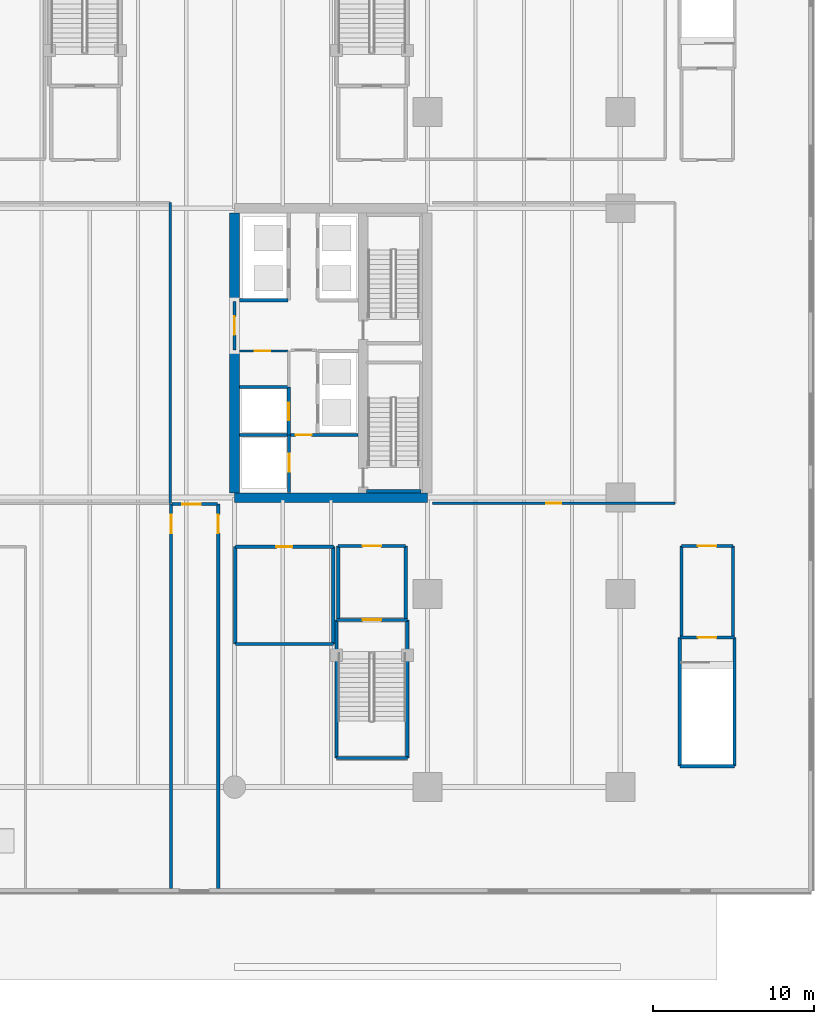
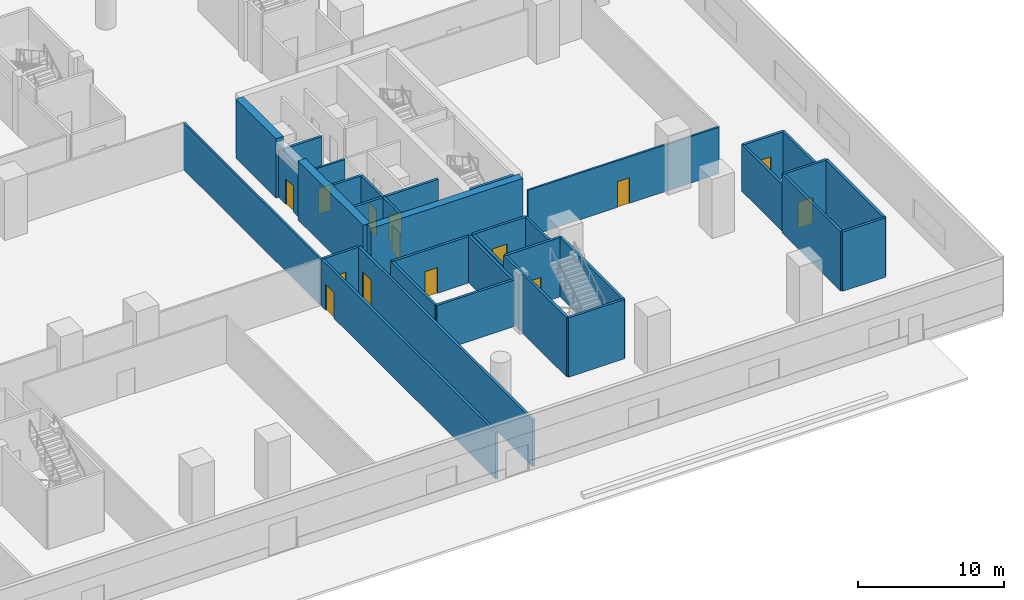
# One storey, part 8 of 25: 34 walls, 14 doors, 14 openings.
"""IFC4 building model written with IfcOpenShell, lengths in metres."""

from ifc_helpers import new_model, si_unit, direction, frame, frame_2d, origin, place, context, subcontext, project, spatial, rectangle, extrude, material, layer, layer_set, type_object, element, fill, save


model = new_model("IFC4")

# Units and contexts
model_context = context("Model", 3, precision=1e-05, world=origin(), true_north=direction((0.0, 1.0)))
body_context = subcontext(model_context, "Body", "Model", "MODEL_VIEW")
ifc_project = project(units=[si_unit("LENGTHUNIT", "METRE"), si_unit("AREAUNIT", "SQUARE_METRE"), si_unit("VOLUMEUNIT", "CUBIC_METRE"), si_unit("PLANEANGLEUNIT", "RADIAN"), si_unit("MASSUNIT", "GRAM", prefix="KILO")], contexts=[model_context])

# Site, building, storey
site_placement = place(None, origin())
site = spatial("IfcSite", under=ifc_project, at=site_placement, CompositionType="ELEMENT")
building_placement = place(site_placement, origin())
building = spatial("IfcBuilding", under=site, at=building_placement, Name="Tanjung Sevakor Pilgrim Tower", CompositionType="ELEMENT")
storey_placement = place(building_placement, origin())
storey = spatial("IfcBuildingStorey", under=building, at=storey_placement, Name="L01", CompositionType="ELEMENT", Elevation=0.0)

# Walls
ifc_material_1 = material(Name="Concrete C60/75", Category="concrete")
ifc_layer_1 = layer(ifc_material_1, 0.60009765625)
ifc_layer_set_1 = layer_set([ifc_layer_1], Name="WALL-CW-600")
wall_type_1 = type_object("IfcWallType", Name="WALL-CW-600", PredefinedType="SHEAR", material=ifc_layer_set_1)
wall_1_placement = place(storey_placement, frame((78.0, 24.60009765625, 0.0), z_axis=(0.0, 0.0, 1.0), x_axis=(1.0, 0.0, 0.0)))
element("IfcWall", 1, at=wall_1_placement, inside=storey, type_object=wall_type_1, Name="L01 E Core South Shear Wall", PredefinedType="SHEAR", context=body_context, shape_type="SweptSolid", body=[
    extrude(rectangle(XDim=12.0, YDim=0.60009765625, at=frame_2d((6.0, 0.0))), origin(), (0.0, 0.0, 1.0), 4.949951171875),
])
wall_2_placement = place(storey_placement, frame((78.0, 24.89990234375, 0.0), z_axis=(0.0, 0.0, 1.0), x_axis=(0.0, 1.0, 0.0)))
element("IfcWall", 2, at=wall_2_placement, inside=storey, type_object=wall_type_1, Name="L01 E Core Inner Shear Wall South", PredefinedType="SHEAR", context=body_context, shape_type="SweptSolid", body=[
    extrude(rectangle(XDim=8.900146484375, YDim=0.60009765625, at=frame_2d((4.4501953125, 0.0))), origin(), (0.0, 0.0, 1.0), 4.949951171875),
])
wall_3_placement = place(storey_placement, frame((78.0, 36.800048828125, 0.0), z_axis=(0.0, 0.0, 1.0), x_axis=(0.0, 1.0, 0.0)))
element("IfcWall", 3, at=wall_3_placement, inside=storey, type_object=wall_type_1, Name="L01 E Core Inner Shear Wall North", PredefinedType="SHEAR", context=body_context, shape_type="SweptSolid", body=[
    extrude(rectangle(XDim=5.5, YDim=0.60009765625, at=frame_2d((2.75, 0.0))), origin(), (0.0, 0.0, 1.0), 4.949951171875),
])

# Wall, opening, door
ifc_material_2 = material(Name="Concrete C40/50", Category="concrete")
ifc_layer_2 = layer(ifc_material_2, 0.14990234375)
ifc_layer_set_2 = layer_set([ifc_layer_2], Name="WT-COMP-150")
wall_type_2 = type_object("IfcWallType", Name="WT-COMP-150", PredefinedType="SOLIDWALL", material=ifc_layer_set_2)
wall_4_placement = place(storey_placement, frame((78.320068359375, 33.719970703125, 0.0), z_axis=(0.0, 0.0, 1.0), x_axis=(1.0, 0.0, 0.0)))
wall_4 = element("IfcWall", 4, at=wall_4_placement, inside=storey, type_object=wall_type_2, Name="L01 Partition IW-L01-024", PredefinedType="SOLIDWALL", context=body_context, shape_type="SweptSolid", body=[
    extrude(rectangle(XDim=3.0, YDim=0.14990234375, at=frame_2d((1.5, 0.0))), origin(), (0.0, 0.0, 1.0), 3.889892578125),
])
opening_1_placement = place(wall_4_placement, frame((0.949951171875, 0.0, 0.0)))
opening_1 = element("IfcOpeningElement", 5, at=opening_1_placement, cuts=wall_4, Name="Opening ID-FD2", PredefinedType="OPENING", context=body_context, shape_type="SweptSolid", body=[
    extrude(rectangle(XDim=0.949951171875, YDim=2.14990234375, at=frame_2d((0.47509765625, 1.074951171875))), frame((0.0, 0.0849609375, 0.0), z_axis=(0.0, -1.0, 0.0), x_axis=(1.0, 0.0, 0.0)), (0.0, 0.0, 1.0), 0.169921875),
])
ifc_material_3 = material(Name="Fire-Rated Timber", Category="wood")
door_type_1 = type_object("IfcDoorType", Name="DT-FIRE-950", OperationType="NOTDEFINED", PredefinedType="DOOR", material=ifc_material_3)
door_1_placement = place(opening_1_placement, origin())
door_1 = element("IfcDoor", 6, at=door_1_placement, inside=storey, type_object=door_type_1, Name="L01 Accessible WC Door", OperationType="SINGLE_SWING_LEFT", OverallHeight=2.14990234375, OverallWidth=0.949951171875, PredefinedType="DOOR", context=body_context, shape_type="SweptSolid", body=[
    extrude(rectangle(XDim=0.949951171875, YDim=2.14990234375, at=frame_2d((0.47509765625, 1.074951171875))), frame((0.0, 0.02490234375, 0.0), z_axis=(0.0, -1.0, 0.0), x_axis=(1.0, 0.0, 0.0)), (0.0, 0.0, 1.0), 0.050048828125),
])
fill(opening_1, door_1)

# Wall
wall_5_placement = place(storey_placement, frame((74.0, 24.25, 0.0), z_axis=(0.0, 0.0, 1.0), x_axis=(0.0, 1.0, 0.0)))
element("IfcWall", 7, at=wall_5_placement, inside=storey, type_object=wall_type_2, Name="L01 Partition IW-L01-073", PredefinedType="SOLIDWALL", context=body_context, shape_type="SweptSolid", body=[
    extrude(rectangle(XDim=18.699951171875, YDim=0.14990234375, at=frame_2d((9.35009765625, 0.0))), origin(), (0.0, 0.0, 1.0), 3.889892578125),
])

# Wall, opening, door
wall_6_placement = place(storey_placement, frame((90.320068359375, 24.25, 0.0), z_axis=(0.0, 0.0, 1.0), x_axis=(1.0, 0.0, 0.0)))
wall_6 = element("IfcWall", 8, at=wall_6_placement, inside=storey, type_object=wall_type_2, Name="L01 Partition IW-L01-085", PredefinedType="SOLIDWALL", context=body_context, shape_type="SweptSolid", body=[
    extrude(rectangle(XDim=15.079833984375, YDim=0.14990234375, at=frame_2d((7.5400390625, 0.0))), origin(), (0.0, 0.0, 1.0), 3.889892578125),
])
opening_2_placement = place(wall_6_placement, frame((7.06494140625, 0.0, 0.0)))
opening_2 = element("IfcOpeningElement", 9, at=opening_2_placement, cuts=wall_6, Name="Opening ID-RM1", PredefinedType="OPENING", context=body_context, shape_type="SweptSolid", body=[
    extrude(rectangle(XDim=0.949951171875, YDim=2.14990234375, at=frame_2d((0.47509765625, 1.074951171875))), frame((0.0, 0.0849609375, 0.0), z_axis=(0.0, -1.0, 0.0), x_axis=(1.0, 0.0, 0.0)), (0.0, 0.0, 1.0), 0.169921875),
])
ifc_material_4 = material(Name="Hardwood Timber", Category="wood")
door_type_2 = type_object("IfcDoorType", Name="DT-INT-950", OperationType="NOTDEFINED", PredefinedType="DOOR", material=ifc_material_4)
door_2_placement = place(opening_2_placement, frame((0.949951171875, 0.0, 0.0), z_axis=(0.0, 0.0, 1.0), x_axis=(-1.0, 0.0, 0.0)))
door_2 = element("IfcDoor", 10, at=door_2_placement, inside=storey, type_object=door_type_2, Name="L01 Reception Office Door", OperationType="SINGLE_SWING_RIGHT", OverallHeight=2.14990234375, OverallWidth=0.949951171875, PredefinedType="DOOR", context=body_context, shape_type="SweptSolid", body=[
    extrude(rectangle(XDim=0.949951171875, YDim=2.14990234375, at=frame_2d((0.47509765625, 1.074951171875))), frame((0.0, 0.02490234375, 0.0), z_axis=(0.0, -1.0, 0.0), x_axis=(1.0, 0.0, 0.0)), (0.0, 0.0, 1.0), 0.050048828125),
])
fill(opening_2, door_2)

# Walls
ifc_material_5 = material(Name="Concrete C40/50", Category="concrete")
ifc_layer_3 = layer(ifc_material_5, 0.199951171875)
ifc_layer_set_3 = layer_set([ifc_layer_3], Name="WT-FIRE-200")
wall_type_3 = type_object("IfcWallType", Name="WT-FIRE-200", PredefinedType="SOLIDWALL", material=ifc_layer_set_3)
wall_7_placement = place(storey_placement, frame((86.199951171875, 25.0, 0.0), z_axis=(0.0, 0.0, 1.0), x_axis=(1.0, 0.0, 0.0)))
element("IfcWall", 11, at=wall_7_placement, inside=storey, type_object=wall_type_3, Name="L01 TS-E1 Shaft Wall 1", PredefinedType="SOLIDWALL", context=body_context, shape_type="SweptSolid", body=[
    extrude(rectangle(XDim=3.400146484375, YDim=0.199951171875, at=frame_2d((1.7001953125, 0.0))), origin(), (0.0, 0.0, 1.0), 4.949951171875),
])
wall_8_placement = place(storey_placement, frame((84.35009765625, 8.39990234375, 0.0), z_axis=(0.0, 0.0, 1.0), x_axis=(1.0, 0.0, 0.0)))
element("IfcWall", 12, at=wall_8_placement, inside=storey, type_object=wall_type_3, Name="L01 PS-5 Shaft Wall 1", PredefinedType="SOLIDWALL", context=body_context, shape_type="SweptSolid", body=[
    extrude(rectangle(XDim=4.39990234375, YDim=0.199951171875, at=frame_2d((2.199951171875, 0.0))), origin(), (0.0, 0.0, 1.0), 4.949951171875),
])
wall_9_placement = place(storey_placement, frame((88.75, 8.39990234375, 0.0), z_axis=(0.0, 0.0, 1.0), x_axis=(0.0, 1.0, 0.0)))
element("IfcWall", 13, at=wall_9_placement, inside=storey, type_object=wall_type_3, Name="L01 PS-5 Shaft Wall 2", PredefinedType="SOLIDWALL", context=body_context, shape_type="SweptSolid", body=[
    extrude(rectangle(XDim=8.60009765625, YDim=0.199951171875, at=frame_2d((4.300048828125, 0.0))), origin(), (0.0, 0.0, 1.0), 4.949951171875),
])

# Wall, opening, door
wall_10_placement = place(storey_placement, frame((88.75, 17.0, 0.0), z_axis=(0.0, 0.0, 1.0), x_axis=(-1.0, 0.0, 0.0)))
wall_10 = element("IfcWall", 14, at=wall_10_placement, inside=storey, type_object=wall_type_3, Name="L01 PS-5 Shaft Wall 3", PredefinedType="SOLIDWALL", context=body_context, shape_type="SweptSolid", body=[
    extrude(rectangle(XDim=4.39990234375, YDim=0.199951171875, at=frame_2d((2.199951171875, 0.0))), origin(), (0.0, 0.0, 1.0), 4.949951171875),
])
opening_3_placement = place(wall_10_placement, frame((1.625, 0.0, 0.0)))
opening_3 = element("IfcOpeningElement", 15, at=opening_3_placement, cuts=wall_10, Name="Opening ID-ST1", PredefinedType="OPENING", context=body_context, shape_type="SweptSolid", body=[
    extrude(rectangle(XDim=1.14990234375, YDim=2.14990234375, at=frame_2d((0.574951171875, 1.074951171875))), frame((0.0, 0.10986328125, 0.0), z_axis=(0.0, -1.0, 0.0), x_axis=(1.0, 0.0, 0.0)), (0.0, 0.0, 1.0), 0.219970703125),
])
ifc_material_6 = material(Name="Fire-Rated Steel S355J2", Category="steel")
door_type_3 = type_object("IfcDoorType", Name="DT-FIRE-1150", OperationType="NOTDEFINED", PredefinedType="DOOR", material=ifc_material_6)
door_3_placement = place(opening_3_placement, frame((1.14990234375, 0.0, 0.0), z_axis=(0.0, 0.0, 1.0), x_axis=(-1.0, 0.0, 0.0)))
door_3 = element("IfcDoor", 16, at=door_3_placement, inside=storey, type_object=door_type_3, Name="L01 PS-5 Stair Entry Fire Door", OperationType="SINGLE_SWING_LEFT", OverallHeight=2.14990234375, OverallWidth=1.14990234375, PredefinedType="DOOR", context=body_context, shape_type="SweptSolid", body=[
    extrude(rectangle(XDim=1.14990234375, YDim=2.14990234375, at=frame_2d((0.574951171875, 1.074951171875))), frame((0.0, 0.02490234375, 0.0), z_axis=(0.0, -1.0, 0.0), x_axis=(1.0, 0.0, 0.0)), (0.0, 0.0, 1.0), 0.050048828125),
])
fill(opening_3, door_3)

# Walls
wall_11_placement = place(storey_placement, frame((84.35009765625, 17.0, 0.0), z_axis=(0.0, 0.0, 1.0), x_axis=(0.0, -1.0, 0.0)))
element("IfcWall", 17, at=wall_11_placement, inside=storey, type_object=wall_type_3, Name="L01 PS-5 Shaft Wall 4", PredefinedType="SOLIDWALL", context=body_context, shape_type="SweptSolid", body=[
    extrude(rectangle(XDim=8.60009765625, YDim=0.199951171875, at=frame_2d((4.300048828125, 0.0))), origin(), (0.0, 0.0, 1.0), 4.949951171875),
])
wall_12_placement = place(storey_placement, frame((105.699951171875, 7.89990234375, 0.0), z_axis=(0.0, 0.0, 1.0), x_axis=(1.0, 0.0, 0.0)))
element("IfcWall", 18, at=wall_12_placement, inside=storey, type_object=wall_type_3, Name="L01 BS-3 Shaft Wall 1", PredefinedType="SOLIDWALL", context=body_context, shape_type="SweptSolid", body=[
    extrude(rectangle(XDim=3.400146484375, YDim=0.199951171875, at=frame_2d((1.7001953125, 0.0))), origin(), (0.0, 0.0, 1.0), 4.949951171875),
])
wall_13_placement = place(storey_placement, frame((109.10009765625, 7.89990234375, 0.0), z_axis=(0.0, 0.0, 1.0), x_axis=(0.0, 1.0, 0.0)))
element("IfcWall", 19, at=wall_13_placement, inside=storey, type_object=wall_type_3, Name="L01 BS-3 Shaft Wall 2", PredefinedType="SOLIDWALL", context=body_context, shape_type="SweptSolid", body=[
    extrude(rectangle(XDim=8.0, YDim=0.199951171875, at=frame_2d((4.0, 0.0))), origin(), (0.0, 0.0, 1.0), 4.949951171875),
])

# Wall, opening, door
wall_14_placement = place(storey_placement, frame((109.10009765625, 15.89990234375, 0.0), z_axis=(0.0, 0.0, 1.0), x_axis=(-1.0, 0.0, 0.0)))
wall_14 = element("IfcWall", 20, at=wall_14_placement, inside=storey, type_object=wall_type_3, Name="L01 BS-3 Shaft Wall 3", PredefinedType="SOLIDWALL", context=body_context, shape_type="SweptSolid", body=[
    extrude(rectangle(XDim=3.400146484375, YDim=0.199951171875, at=frame_2d((1.7001953125, 0.0))), origin(), (0.0, 0.0, 1.0), 4.949951171875),
])
opening_4_placement = place(wall_14_placement, frame((1.125, 0.0, 0.0)))
opening_4 = element("IfcOpeningElement", 21, at=opening_4_placement, cuts=wall_14, Name="Opening ID-ST1", PredefinedType="OPENING", context=body_context, shape_type="SweptSolid", body=[
    extrude(rectangle(XDim=1.14990234375, YDim=2.14990234375, at=frame_2d((0.574951171875, 1.074951171875))), frame((0.0, 0.10986328125, 0.0), z_axis=(0.0, -1.0, 0.0), x_axis=(1.0, 0.0, 0.0)), (0.0, 0.0, 1.0), 0.219970703125),
])
door_4_placement = place(opening_4_placement, frame((1.14990234375, 0.0, 0.0), z_axis=(0.0, 0.0, 1.0), x_axis=(-1.0, 0.0, 0.0)))
door_4 = element("IfcDoor", 22, at=door_4_placement, inside=storey, type_object=door_type_3, Name="L01 BS-3 Stair Entry Fire Door", OperationType="SINGLE_SWING_LEFT", OverallHeight=2.14990234375, OverallWidth=1.14990234375, PredefinedType="DOOR", context=body_context, shape_type="SweptSolid", body=[
    extrude(rectangle(XDim=1.14990234375, YDim=2.14990234375, at=frame_2d((0.574951171875, 1.074951171875))), frame((0.0, 0.02490234375, 0.0), z_axis=(0.0, -1.0, 0.0), x_axis=(1.0, 0.0, 0.0)), (0.0, 0.0, 1.0), 0.050048828125),
])
fill(opening_4, door_4)

# Wall
wall_15_placement = place(storey_placement, frame((105.699951171875, 15.89990234375, 0.0), z_axis=(0.0, 0.0, 1.0), x_axis=(0.0, -1.0, 0.0)))
element("IfcWall", 23, at=wall_15_placement, inside=storey, type_object=wall_type_3, Name="L01 BS-3 Shaft Wall 4", PredefinedType="SOLIDWALL", context=body_context, shape_type="SweptSolid", body=[
    extrude(rectangle(XDim=8.0, YDim=0.199951171875, at=frame_2d((4.0, 0.0))), origin(), (0.0, 0.0, 1.0), 4.949951171875),
])

# Wall, opening, door
ifc_material_7 = material(Name="Concrete C40/50", Category="concrete")
ifc_layer_4 = layer(ifc_material_7, 0.199951171875)
ifc_layer_set_4 = layer_set([ifc_layer_4], Name="WT-FPRT-200")
wall_type_4 = type_object("IfcWallType", Name="WT-FPRT-200", PredefinedType="SOLIDWALL", material=ifc_layer_set_4)
wall_16_placement = place(storey_placement, frame((81.39990234375, 24.919921875, 0.0), z_axis=(0.0, 0.0, 1.0), x_axis=(0.0, 1.0, 0.0)))
wall_16 = element("IfcWall", 24, at=wall_16_placement, inside=storey, type_object=wall_type_4, Name="L01 Partition IW-L01-015", PredefinedType="SOLIDWALL", context=body_context, shape_type="SweptSolid", body=[
    extrude(rectangle(XDim=3.580078125, YDim=0.199951171875, at=frame_2d((1.7900390625, 0.0))), origin(), (0.0, 0.0, 1.0), 3.889892578125),
])
opening_5_placement = place(wall_16_placement, frame((1.300048828125, 0.0, 0.0)))
opening_5 = element("IfcOpeningElement", 25, at=opening_5_placement, cuts=wall_16, Name="Opening LD-1100", PredefinedType="OPENING", context=body_context, shape_type="SweptSolid", body=[
    extrude(rectangle(XDim=1.10009765625, YDim=2.199951171875, at=frame_2d((0.550048828125, 1.10009765625))), frame((0.0, 0.10986328125, 0.0), z_axis=(0.0, -1.0, 0.0), x_axis=(1.0, 0.0, 0.0)), (0.0, 0.0, 1.0), 0.219970703125),
])
ifc_material_8 = material(Name="Brushed Stainless Steel S355J2", Category="steel")
door_type_4 = type_object("IfcDoorType", Name="DT-LIFT-1100", OperationType="SLIDING_TO_LEFT", PredefinedType="DOOR", material=ifc_material_8)
door_5_placement = place(opening_5_placement, origin())
door_5 = element("IfcDoor", 26, at=door_5_placement, inside=storey, type_object=door_type_4, Name="LD-FL-E", OperationType="SLIDING_TO_LEFT", OverallHeight=2.199951171875, OverallWidth=1.10009765625, PredefinedType="DOOR", context=body_context, shape_type="SweptSolid", body=[
    extrude(rectangle(XDim=1.10009765625, YDim=2.199951171875, at=frame_2d((0.550048828125, 1.10009765625))), frame((0.0, 0.02490234375, 0.0), z_axis=(0.0, -1.0, 0.0), x_axis=(1.0, 0.0, 0.0)), (0.0, 0.0, 1.0), 0.050048828125),
])
fill(opening_5, door_5)

wall_17_placement = place(storey_placement, frame((78.320068359375, 28.5, 0.0), z_axis=(0.0, 0.0, 1.0), x_axis=(1.0, 0.0, 0.0)))
wall_17 = element("IfcWall", 27, at=wall_17_placement, inside=storey, type_object=wall_type_4, Name="L01 Partition IW-L01-016", PredefinedType="SOLIDWALL", context=body_context, shape_type="SweptSolid", body=[
    extrude(rectangle(XDim=7.35986328125, YDim=0.199951171875, at=frame_2d((3.679931640625, 0.0))), origin(), (0.0, 0.0, 1.0), 3.889892578125),
])
opening_6_placement = place(wall_17_placement, frame((3.47998046875, 0.0, 0.0)))
opening_6 = element("IfcOpeningElement", 28, at=opening_6_placement, cuts=wall_17, Name="Opening ID-FD1", PredefinedType="OPENING", context=body_context, shape_type="SweptSolid", body=[
    extrude(rectangle(XDim=1.0, YDim=2.14990234375, at=frame_2d((0.5, 1.074951171875))), frame((0.0, 0.10986328125, 0.0), z_axis=(0.0, -1.0, 0.0), x_axis=(1.0, 0.0, 0.0)), (0.0, 0.0, 1.0), 0.219970703125),
])
ifc_material_9 = material(Name="Fire-Rated Steel S355J2", Category="steel")
door_type_5 = type_object("IfcDoorType", Name="DT-FIRE-1000", OperationType="NOTDEFINED", PredefinedType="DOOR", material=ifc_material_9)
door_6_placement = place(opening_6_placement, origin())
door_6 = element("IfcDoor", 29, at=door_6_placement, inside=storey, type_object=door_type_5, Name="Fire Lobby Door E", OperationType="SINGLE_SWING_LEFT", OverallHeight=2.14990234375, OverallWidth=1.0, PredefinedType="DOOR", context=body_context, shape_type="SweptSolid", body=[
    extrude(rectangle(XDim=1.0, YDim=2.14990234375, at=frame_2d((0.5, 1.074951171875))), frame((0.0, 0.02490234375, 0.0), z_axis=(0.0, -1.0, 0.0), x_axis=(1.0, 0.0, 0.0)), (0.0, 0.0, 1.0), 0.050048828125),
])
fill(opening_6, door_6)

wall_18_placement = place(storey_placement, frame((78.0, 33.800048828125, 0.0), z_axis=(0.0, 0.0, 1.0), x_axis=(0.0, 1.0, 0.0)))
wall_18 = element("IfcWall", 30, at=wall_18_placement, inside=storey, type_object=wall_type_4, Name="L01 Partition IW-L01-017", PredefinedType="SOLIDWALL", context=body_context, shape_type="SweptSolid", body=[
    extrude(rectangle(XDim=3.0, YDim=0.199951171875, at=frame_2d((1.5, 0.0))), origin(), (0.0, 0.0, 1.0), 3.889892578125),
])
opening_7_placement = place(wall_18_placement, frame((0.925048828125, 0.0, 0.0)))
opening_7 = element("IfcOpeningElement", 31, at=opening_7_placement, cuts=wall_18, Name="Opening ID-ST1", PredefinedType="OPENING", context=body_context, shape_type="SweptSolid", body=[
    extrude(rectangle(XDim=1.14990234375, YDim=2.14990234375, at=frame_2d((0.574951171875, 1.074951171875))), frame((0.0, 0.10986328125, 0.0), z_axis=(0.0, -1.0, 0.0), x_axis=(1.0, 0.0, 0.0)), (0.0, 0.0, 1.0), 0.219970703125),
])
door_7_placement = place(opening_7_placement, origin())
door_7 = element("IfcDoor", 32, at=door_7_placement, inside=storey, type_object=door_type_3, Name="L01 Core E Exit Vestibule Door", OperationType="SINGLE_SWING_RIGHT", OverallHeight=2.14990234375, OverallWidth=1.14990234375, PredefinedType="DOOR", context=body_context, shape_type="SweptSolid", body=[
    extrude(rectangle(XDim=1.14990234375, YDim=2.14990234375, at=frame_2d((0.574951171875, 1.074951171875))), frame((0.0, 0.02490234375, 0.0), z_axis=(0.0, -1.0, 0.0), x_axis=(1.0, 0.0, 0.0)), (0.0, 0.0, 1.0), 0.050048828125),
])
fill(opening_7, door_7)

# Wall
wall_19_placement = place(storey_placement, frame((78.320068359375, 31.47998046875, 0.0), z_axis=(0.0, 0.0, 1.0), x_axis=(1.0, 0.0, 0.0)))
element("IfcWall", 33, at=wall_19_placement, inside=storey, type_object=wall_type_4, Name="L01 Partition IW-L01-021", PredefinedType="SOLIDWALL", context=body_context, shape_type="SweptSolid", body=[
    extrude(rectangle(XDim=3.0, YDim=0.199951171875, at=frame_2d((1.5, 0.0))), origin(), (0.0, 0.0, 1.0), 3.889892578125),
])

# Wall, opening, door
wall_20_placement = place(storey_placement, frame((81.3798828125, 28.5, 0.0), z_axis=(0.0, 0.0, 1.0), x_axis=(0.0, 1.0, 0.0)))
wall_20 = element("IfcWall", 34, at=wall_20_placement, inside=storey, type_object=wall_type_4, Name="L01 Partition IW-L01-022", PredefinedType="SOLIDWALL", context=body_context, shape_type="SweptSolid", body=[
    extrude(rectangle(XDim=2.97998046875, YDim=0.199951171875, at=frame_2d((1.489990234375, 0.0))), origin(), (0.0, 0.0, 1.0), 3.889892578125),
])
opening_8_placement = place(wall_20_placement, frame((0.89990234375, 0.0, 0.0)))
opening_8 = element("IfcOpeningElement", 35, at=opening_8_placement, cuts=wall_20, Name="Opening LD-1100", PredefinedType="OPENING", context=body_context, shape_type="SweptSolid", body=[
    extrude(rectangle(XDim=1.10009765625, YDim=2.199951171875, at=frame_2d((0.550048828125, 1.10009765625))), frame((0.0, 0.10986328125, 0.0), z_axis=(0.0, -1.0, 0.0), x_axis=(1.0, 0.0, 0.0)), (0.0, 0.0, 1.0), 0.219970703125),
])
door_8_placement = place(opening_8_placement, origin())
door_8 = element("IfcDoor", 36, at=door_8_placement, inside=storey, type_object=door_type_4, Name="LD-SLP-E", OperationType="SLIDING_TO_LEFT", OverallHeight=2.199951171875, OverallWidth=1.10009765625, PredefinedType="DOOR", context=body_context, shape_type="SweptSolid", body=[
    extrude(rectangle(XDim=1.10009765625, YDim=2.199951171875, at=frame_2d((0.550048828125, 1.10009765625))), frame((0.0, 0.02490234375, 0.0), z_axis=(0.0, -1.0, 0.0), x_axis=(1.0, 0.0, 0.0)), (0.0, 0.0, 1.0), 0.050048828125),
])
fill(opening_8, door_8)

# Wall
wall_21_placement = place(storey_placement, frame((78.320068359375, 36.8798828125, 0.0), z_axis=(0.0, 0.0, 1.0), x_axis=(1.0, 0.0, 0.0)))
element("IfcWall", 37, at=wall_21_placement, inside=storey, type_object=wall_type_4, Name="L01 Partition IW-L01-027", PredefinedType="SOLIDWALL", context=body_context, shape_type="SweptSolid", body=[
    extrude(rectangle(XDim=3.0, YDim=0.199951171875, at=frame_2d((1.5, 0.0))), origin(), (0.0, 0.0, 1.0), 3.889892578125),
])

# Wall, opening, door
wall_22_placement = place(storey_placement, frame((74.10009765625, 24.199951171875, 0.0), z_axis=(0.0, 0.0, 1.0), x_axis=(1.0, 0.0, 0.0)))
wall_22 = element("IfcWall", 38, at=wall_22_placement, inside=storey, type_object=wall_type_4, Name="L01 Partition IW-L01-030", PredefinedType="SOLIDWALL", context=body_context, shape_type="SweptSolid", body=[
    extrude(rectangle(XDim=2.849853515625, YDim=0.199951171875, at=frame_2d((1.4248046875, 0.0))), origin(), (0.0, 0.0, 1.0), 3.889892578125),
])
opening_9_placement = place(wall_22_placement, frame((0.64990234375, 0.0, 0.0)))
opening_9 = element("IfcOpeningElement", 39, at=opening_9_placement, cuts=wall_22, Name="Opening ID-ST1", PredefinedType="OPENING", context=body_context, shape_type="SweptSolid", body=[
    extrude(rectangle(XDim=1.14990234375, YDim=2.14990234375, at=frame_2d((0.574951171875, 1.074951171875))), frame((0.0, 0.10986328125, 0.0), z_axis=(0.0, -1.0, 0.0), x_axis=(1.0, 0.0, 0.0)), (0.0, 0.0, 1.0), 0.219970703125),
])
door_9_placement = place(opening_9_placement, frame((1.14990234375, 0.0, 0.0), z_axis=(0.0, 0.0, 1.0), x_axis=(-1.0, 0.0, 0.0)))
door_9 = element("IfcDoor", 40, at=door_9_placement, inside=storey, type_object=door_type_3, Name="L01 East Core South Exit Door", OperationType="SINGLE_SWING_LEFT", OverallHeight=2.14990234375, OverallWidth=1.14990234375, PredefinedType="DOOR", context=body_context, shape_type="SweptSolid", body=[
    extrude(rectangle(XDim=1.14990234375, YDim=2.14990234375, at=frame_2d((0.574951171875, 1.074951171875))), frame((0.0, 0.02490234375, 0.0), z_axis=(0.0, -1.0, 0.0), x_axis=(1.0, 0.0, 0.0)), (0.0, 0.0, 1.0), 0.050048828125),
])
fill(opening_9, door_9)

# Walls
for number, where, z_axis, x_axis, name in (
    (41, (84.449951171875, 17.0, 0.0), (0.0, 0.0, 1.0), (0.0, 1.0, 0.0), "L01 Partition IW-L01-037"),
    (42, (88.64990234375, 17.0, 0.0), (0.0, 0.0, 1.0), (0.0, 1.0, 0.0), "L01 Partition IW-L01-038"),
):
    element("IfcWall", number, at=place(storey_placement, frame(where, z_axis=z_axis, x_axis=x_axis)), inside=storey, type_object=wall_type_4, Name=name, PredefinedType="SOLIDWALL", context=body_context, shape_type="SweptSolid", body=[
        extrude(rectangle(XDim=4.60009765625, YDim=0.199951171875, at=frame_2d((2.300048828125, 0.0))), origin(), (0.0, 0.0, 1.0), 3.889892578125),
    ])

# Wall, opening, door
wall_23_placement = place(storey_placement, frame((84.449951171875, 21.60009765625, 0.0), z_axis=(0.0, 0.0, 1.0), x_axis=(1.0, 0.0, 0.0)))
wall_23 = element("IfcWall", 43, at=wall_23_placement, inside=storey, type_object=wall_type_4, Name="L01 Partition IW-L01-039", PredefinedType="SOLIDWALL", context=body_context, shape_type="SweptSolid", body=[
    extrude(rectangle(XDim=4.199951171875, YDim=0.199951171875, at=frame_2d((2.10009765625, 0.0))), origin(), (0.0, 0.0, 1.0), 3.889892578125),
])
opening_10_placement = place(wall_23_placement, frame((1.52490234375, 0.0, 0.0)))
opening_10 = element("IfcOpeningElement", 44, at=opening_10_placement, cuts=wall_23, Name="Opening ID-ST1", PredefinedType="OPENING", context=body_context, shape_type="SweptSolid", body=[
    extrude(rectangle(XDim=1.14990234375, YDim=2.14990234375, at=frame_2d((0.574951171875, 1.074951171875))), frame((0.0, 0.10986328125, 0.0), z_axis=(0.0, -1.0, 0.0), x_axis=(1.0, 0.0, 0.0)), (0.0, 0.0, 1.0), 0.219970703125),
])
door_10_placement = place(opening_10_placement, origin())
door_10 = element("IfcDoor", 45, at=door_10_placement, inside=storey, type_object=door_type_3, Name="L01 Stair Lobby PS5 Exit Door", OperationType="SINGLE_SWING_RIGHT", OverallHeight=2.14990234375, OverallWidth=1.14990234375, PredefinedType="DOOR", context=body_context, shape_type="SweptSolid", body=[
    extrude(rectangle(XDim=1.14990234375, YDim=2.14990234375, at=frame_2d((0.574951171875, 1.074951171875))), frame((0.0, 0.02490234375, 0.0), z_axis=(0.0, -1.0, 0.0), x_axis=(1.0, 0.0, 0.0)), (0.0, 0.0, 1.0), 0.050048828125),
])
fill(opening_10, door_10)

# Walls
for number, where, z_axis, x_axis, name in (
    (46, (105.800048828125, 15.89990234375, 0.0), (0.0, 0.0, 1.0), (0.0, 1.0, 0.0), "L01 Partition IW-L01-051"),
    (47, (109.0, 15.89990234375, 0.0), (0.0, 0.0, 1.0), (0.0, 1.0, 0.0), "L01 Partition IW-L01-052"),
):
    element("IfcWall", number, at=place(storey_placement, frame(where, z_axis=z_axis, x_axis=x_axis)), inside=storey, type_object=wall_type_4, Name=name, PredefinedType="SOLIDWALL", context=body_context, shape_type="SweptSolid", body=[
        extrude(rectangle(XDim=5.7001953125, YDim=0.199951171875, at=frame_2d((2.85009765625, 0.0))), origin(), (0.0, 0.0, 1.0), 3.889892578125),
    ])

# Wall, opening, door
wall_24_placement = place(storey_placement, frame((105.800048828125, 21.60009765625, 0.0), z_axis=(0.0, 0.0, 1.0), x_axis=(1.0, 0.0, 0.0)))
wall_24 = element("IfcWall", 48, at=wall_24_placement, inside=storey, type_object=wall_type_4, Name="L01 Partition IW-L01-056", PredefinedType="SOLIDWALL", context=body_context, shape_type="SweptSolid", body=[
    extrude(rectangle(XDim=3.199951171875, YDim=0.199951171875, at=frame_2d((1.60009765625, 0.0))), origin(), (0.0, 0.0, 1.0), 3.889892578125),
])
opening_11_placement = place(wall_24_placement, frame((1.02490234375, 0.0, 0.0)))
opening_11 = element("IfcOpeningElement", 49, at=opening_11_placement, cuts=wall_24, Name="Opening ID-ST1", PredefinedType="OPENING", context=body_context, shape_type="SweptSolid", body=[
    extrude(rectangle(XDim=1.14990234375, YDim=2.14990234375, at=frame_2d((0.574951171875, 1.074951171875))), frame((0.0, 0.10986328125, 0.0), z_axis=(0.0, -1.0, 0.0), x_axis=(1.0, 0.0, 0.0)), (0.0, 0.0, 1.0), 0.219970703125),
])
door_11_placement = place(opening_11_placement, origin())
door_11 = element("IfcDoor", 50, at=door_11_placement, inside=storey, type_object=door_type_3, Name="L01 Stair Lobby BS3 Exit Door", OperationType="SINGLE_SWING_LEFT", OverallHeight=2.14990234375, OverallWidth=1.14990234375, PredefinedType="DOOR", context=body_context, shape_type="SweptSolid", body=[
    extrude(rectangle(XDim=1.14990234375, YDim=2.14990234375, at=frame_2d((0.574951171875, 1.074951171875))), frame((0.0, 0.02490234375, 0.0), z_axis=(0.0, -1.0, 0.0), x_axis=(1.0, 0.0, 0.0)), (0.0, 0.0, 1.0), 0.050048828125),
])
fill(opening_11, door_11)

wall_25_placement = place(storey_placement, frame((74.06005859375, 0.300048828125, 0.0), z_axis=(0.0, 0.0, 1.0), x_axis=(0.0, 1.0, 0.0)))
wall_25 = element("IfcWall", 51, at=wall_25_placement, inside=storey, type_object=wall_type_4, Name="L01 Partition IW-L01-065", PredefinedType="SOLIDWALL", context=body_context, shape_type="SweptSolid", body=[
    extrude(rectangle(XDim=23.89990234375, YDim=0.199951171875, at=frame_2d((11.949951171875, 0.0))), origin(), (0.0, 0.0, 1.0), 3.889892578125),
])
opening_12_placement = place(wall_25_placement, frame((22.10009765625, 0.0, 0.0)))
opening_12 = element("IfcOpeningElement", 52, at=opening_12_placement, cuts=wall_25, Name="Opening ID-ST1", PredefinedType="OPENING", context=body_context, shape_type="SweptSolid", body=[
    extrude(rectangle(XDim=1.14990234375, YDim=2.14990234375, at=frame_2d((0.574951171875, 1.074951171875))), frame((0.0, 0.10986328125, 0.0), z_axis=(0.0, -1.0, 0.0), x_axis=(1.0, 0.0, 0.0)), (0.0, 0.0, 1.0), 0.219970703125),
])
door_12_placement = place(opening_12_placement, frame((1.14990234375, 0.0, 0.0), z_axis=(0.0, 0.0, 1.0), x_axis=(-1.0, 0.0, 0.0)))
door_12 = element("IfcDoor", 53, at=door_12_placement, inside=storey, type_object=door_type_3, Name="L01 Central Corridor To East Exit Passage Door", OperationType="SINGLE_SWING_RIGHT", OverallHeight=2.14990234375, OverallWidth=1.14990234375, PredefinedType="DOOR", context=body_context, shape_type="SweptSolid", body=[
    extrude(rectangle(XDim=1.14990234375, YDim=2.14990234375, at=frame_2d((0.574951171875, 1.074951171875))), frame((0.0, 0.02490234375, 0.0), z_axis=(0.0, -1.0, 0.0), x_axis=(1.0, 0.0, 0.0)), (0.0, 0.0, 1.0), 0.050048828125),
])
fill(opening_12, door_12)

wall_26_placement = place(storey_placement, frame((76.989990234375, 0.300048828125, 0.0), z_axis=(0.0, 0.0, 1.0), x_axis=(0.0, 1.0, 0.0)))
wall_26 = element("IfcWall", 54, at=wall_26_placement, inside=storey, type_object=wall_type_4, Name="L01 Partition IW-L01-066", PredefinedType="SOLIDWALL", context=body_context, shape_type="SweptSolid", body=[
    extrude(rectangle(XDim=23.89990234375, YDim=0.199951171875, at=frame_2d((11.949951171875, 0.0))), origin(), (0.0, 0.0, 1.0), 3.889892578125),
])
opening_13_placement = place(wall_26_placement, frame((22.10009765625, 0.0, 0.0)))
opening_13 = element("IfcOpeningElement", 55, at=opening_13_placement, cuts=wall_26, Name="Opening ID-ST1", PredefinedType="OPENING", context=body_context, shape_type="SweptSolid", body=[
    extrude(rectangle(XDim=1.14990234375, YDim=2.14990234375, at=frame_2d((0.574951171875, 1.074951171875))), frame((0.0, 0.10986328125, 0.0), z_axis=(0.0, -1.0, 0.0), x_axis=(1.0, 0.0, 0.0)), (0.0, 0.0, 1.0), 0.219970703125),
])
door_13_placement = place(opening_13_placement, origin())
door_13 = element("IfcDoor", 56, at=door_13_placement, inside=storey, type_object=door_type_3, Name="L01 East Corridor To Exit Passage Door", OperationType="SINGLE_SWING_LEFT", OverallHeight=2.14990234375, OverallWidth=1.14990234375, PredefinedType="DOOR", context=body_context, shape_type="SweptSolid", body=[
    extrude(rectangle(XDim=1.14990234375, YDim=2.14990234375, at=frame_2d((0.574951171875, 1.074951171875))), frame((0.0, 0.02490234375, 0.0), z_axis=(0.0, -1.0, 0.0), x_axis=(1.0, 0.0, 0.0)), (0.0, 0.0, 1.0), 0.050048828125),
])
fill(opening_13, door_13)

# Wall
wall_27_placement = place(storey_placement, frame((78.050048828125, 15.5, 0.0), z_axis=(0.0, 0.0, 1.0), x_axis=(1.0, 0.0, 0.0)))
element("IfcWall", 57, at=wall_27_placement, inside=storey, type_object=wall_type_4, Name="L01 Partition IW-L01-081", PredefinedType="SOLIDWALL", context=body_context, shape_type="SweptSolid", body=[
    extrude(rectangle(XDim=6.099853515625, YDim=0.199951171875, at=frame_2d((3.0498046875, 0.0))), origin(), (0.0, 0.0, 1.0), 3.889892578125),
])

# Wall, opening, door
wall_28_placement = place(storey_placement, frame((78.050048828125, 21.550048828125, 0.0), z_axis=(0.0, 0.0, 1.0), x_axis=(1.0, 0.0, 0.0)))
wall_28 = element("IfcWall", 58, at=wall_28_placement, inside=storey, type_object=wall_type_4, Name="L01 Partition IW-L01-082", PredefinedType="SOLIDWALL", context=body_context, shape_type="SweptSolid", body=[
    extrude(rectangle(XDim=6.099853515625, YDim=0.199951171875, at=frame_2d((3.0498046875, 0.0))), origin(), (0.0, 0.0, 1.0), 3.889892578125),
])
opening_14_placement = place(wall_28_placement, frame((2.550048828125, 0.0, 0.0)))
opening_14 = element("IfcOpeningElement", 59, at=opening_14_placement, cuts=wall_28, Name="Opening ID-FD1", PredefinedType="OPENING", context=body_context, shape_type="SweptSolid", body=[
    extrude(rectangle(XDim=1.0, YDim=2.14990234375, at=frame_2d((0.5, 1.074951171875))), frame((0.0, 0.10986328125, 0.0), z_axis=(0.0, -1.0, 0.0), x_axis=(1.0, 0.0, 0.0)), (0.0, 0.0, 1.0), 0.219970703125),
])
door_14_placement = place(opening_14_placement, origin())
door_14 = element("IfcDoor", 60, at=door_14_placement, inside=storey, type_object=door_type_5, Name="FCC Door", OperationType="SINGLE_SWING_LEFT", OverallHeight=2.14990234375, OverallWidth=1.0, PredefinedType="DOOR", context=body_context, shape_type="SweptSolid", body=[
    extrude(rectangle(XDim=1.0, YDim=2.14990234375, at=frame_2d((0.5, 1.074951171875))), frame((0.0, 0.02490234375, 0.0), z_axis=(0.0, -1.0, 0.0), x_axis=(1.0, 0.0, 0.0)), (0.0, 0.0, 1.0), 0.050048828125),
])
fill(opening_14, door_14)

# Walls
wall_29_placement = place(storey_placement, frame((78.050048828125, 15.5, 0.0), z_axis=(0.0, 0.0, 1.0), x_axis=(0.0, 1.0, 0.0)))
element("IfcWall", 61, at=wall_29_placement, inside=storey, type_object=wall_type_4, Name="L01 Partition IW-L01-083", PredefinedType="SOLIDWALL", context=body_context, shape_type="SweptSolid", body=[
    extrude(rectangle(XDim=6.050048828125, YDim=0.199951171875, at=frame_2d((3.02490234375, 0.0))), origin(), (0.0, 0.0, 1.0), 3.88525390625),
])
wall_30_placement = place(storey_placement, frame((84.14990234375, 15.5, 0.0), z_axis=(0.0, 0.0, 1.0), x_axis=(0.0, 1.0, 0.0)))
element("IfcWall", 62, at=wall_30_placement, inside=storey, type_object=wall_type_4, Name="L01 Partition IW-L01-084", PredefinedType="SOLIDWALL", context=body_context, shape_type="SweptSolid", body=[
    extrude(rectangle(XDim=6.050048828125, YDim=0.199951171875, at=frame_2d((3.02490234375, 0.0))), origin(), (0.0, 0.0, 1.0), 3.889892578125),
])

save(model, "model.ifc")
